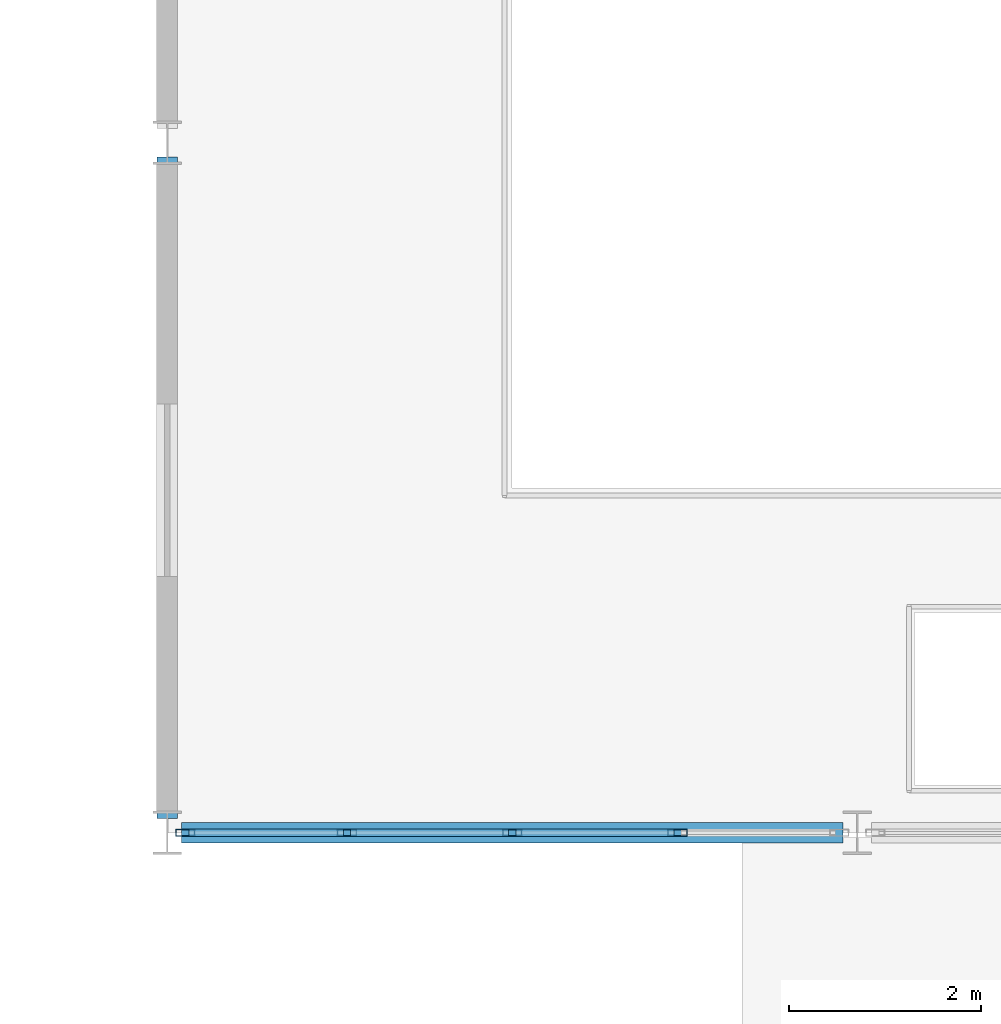
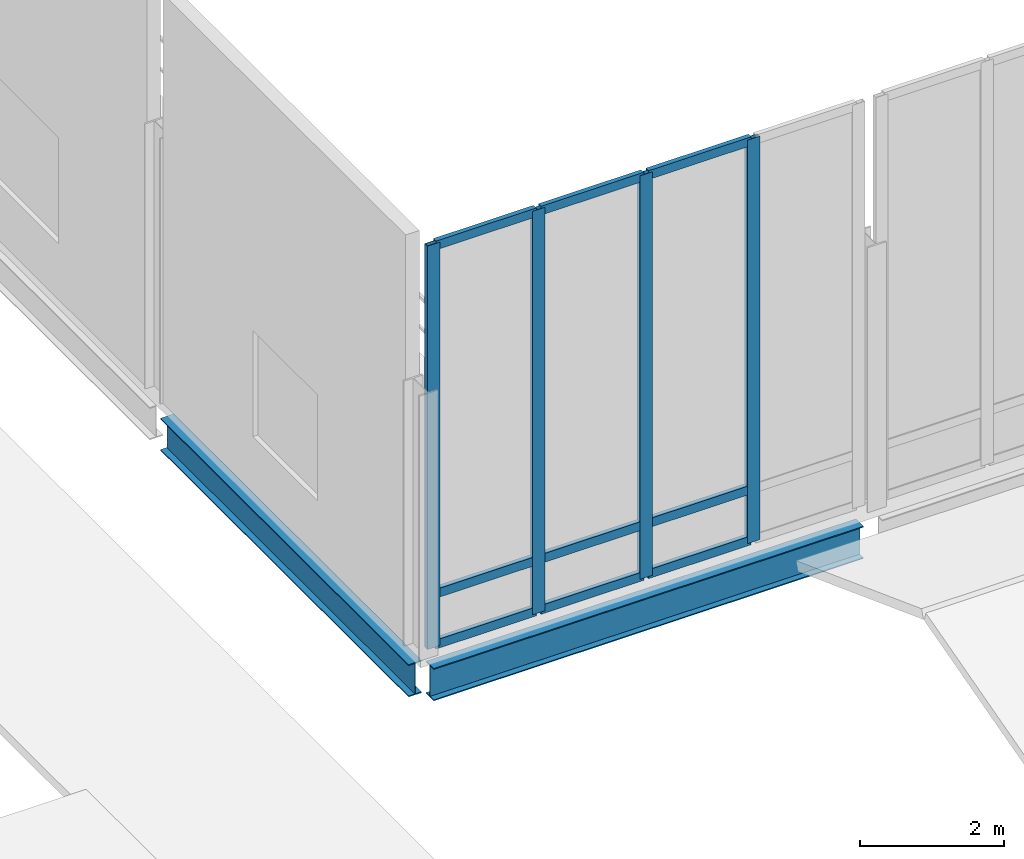
# One storey, part 20 of 110: 13 members, 2 beams, 1 element without a shape of its own.
"""IFC4 building model written with IfcOpenShell, lengths in metres."""

import ifcopenshell
import ifcopenshell.guid

model = None  # the IFC model being written
_history = None  # IfcOwnerHistory: only IFC2X3 demands one
_inside = {}  # id of a spatial element -> (the spatial element, [elements in it])
_under = {}  # id of a project, library or spatial element -> (it, [spatial elements below it])
_declared = {}  # id of a project -> (the project, [libraries it declares])
_typed = {}  # id of a type object -> (the type object, [elements of that type])
_made_of = {}  # id of a material, layer set ... -> (it, [elements and type objects made of it])


def new_model(schema):
    """Start an empty IFC model of exactly this schema.

    Asked for "IFC4X3", IfcOpenShell would pick the latest addendum, in which some entities
    have other attributes; the version numbers below select the first issue.
    IFC2X3 requires an IfcOwnerHistory on every rooted entity: one is made here for all.
    """
    global model, _history
    if schema == "IFC4X3":
        model = ifcopenshell.file(schema_version=(4, 3, 0, 0))
    else:
        model = ifcopenshell.file(schema=schema)
    _inside.clear()
    _under.clear()
    _declared.clear()
    _typed.clear()
    _made_of.clear()
    _history = None
    if model.schema == "IFC2X3":
        org = make("IfcOrganization", Name="unknown")
        user = make(
            "IfcPersonAndOrganization",
            ThePerson=make("IfcPerson", FamilyName="unknown"),
            TheOrganization=org,
        )
        app = make(
            "IfcApplication",
            ApplicationDeveloper=org,
            Version="unknown",
            ApplicationFullName="unknown",
            ApplicationIdentifier="unknown",
        )
        _history = make(
            "IfcOwnerHistory",
            OwningUser=user,
            OwningApplication=app,
            ChangeAction="ADDED",
            CreationDate=0,
        )
    return model


def make(cls, **values):
    """One entity of the class cls with the attributes given. An attribute that is None is left unset."""
    return model.create_entity(
        cls, **{name: value for name, value in values.items() if value is not None}
    )


def rooted(cls, **values):
    """An entity with a GlobalId (a new one), such as an element, a storey or a relation."""
    return make(cls, GlobalId=ifcopenshell.guid.new(), OwnerHistory=_history, **values)


def si_unit(unit_type, name, prefix=None):
    """IfcSIUnit, for example si_unit("LENGTHUNIT", "METRE", prefix="MILLI")."""
    return make("IfcSIUnit", UnitType=unit_type, Prefix=prefix, Name=name)


def assignment(units):
    """IfcUnitAssignment: the units of a project."""
    return None if units is None else make("IfcUnitAssignment", Units=units)


def point(xyz):
    """IfcCartesianPoint."""
    return None if xyz is None else make("IfcCartesianPoint", Coordinates=xyz)


def direction(xyz):
    """IfcDirection."""
    return None if xyz is None else make("IfcDirection", DirectionRatios=xyz)


def frame(location, z_axis=None, x_axis=None):
    """IfcAxis2Placement3D, a coordinate frame: its origin and axes. An axis left out is left unset."""
    return make(
        "IfcAxis2Placement3D",
        Location=point(location),
        Axis=direction(z_axis),
        RefDirection=direction(x_axis),
    )


def frame_2d(location, x_axis=None):
    """IfcAxis2Placement2D, a coordinate frame in the plane: its origin and x axis."""
    return make(
        "IfcAxis2Placement2D", Location=point(location), RefDirection=direction(x_axis)
    )


def origin():
    """The frame at (0, 0, 0) with its axes left unset."""
    return frame((0.0, 0.0, 0.0))


def origin_2d():
    """The frame at (0, 0) in the plane with its x axis left unset."""
    return frame_2d((0.0, 0.0))


def place(relative_to, where):
    """IfcLocalPlacement: puts the frame where relative to a parent placement (None: the world)."""
    return make(
        "IfcLocalPlacement", PlacementRelTo=relative_to, RelativePlacement=where
    )


def context(
    kind, dimensions, precision=None, world=None, true_north=None, identifier=None
):
    """IfcGeometricRepresentationContext, for example the 3D "Model" context."""
    return make(
        "IfcGeometricRepresentationContext",
        ContextIdentifier=identifier,
        ContextType=kind,
        CoordinateSpaceDimension=dimensions,
        Precision=precision,
        WorldCoordinateSystem=world,
        TrueNorth=true_north,
    )


def subcontext(parent, identifier, kind, view, scale=None):
    """IfcGeometricRepresentationSubContext, for example "Body" below "Model"."""
    return make(
        "IfcGeometricRepresentationSubContext",
        ContextIdentifier=identifier,
        ContextType=kind,
        ParentContext=parent,
        TargetScale=scale,
        TargetView=view,
    )


def project(units=None, contexts=None):
    """IfcProject with its units and contexts."""
    return rooted(
        "IfcProject",
        Name="project",
        RepresentationContexts=contexts,
        UnitsInContext=assignment(units),
    )


def spatial(cls, under=None, at=None, **own):
    """A site, building, storey or space (cls), placed at a placement, below another one or the project."""
    s = rooted(cls, ObjectPlacement=at, **own)
    if under is not None:
        _under.setdefault(under.id(), (under, []))[1].append(s)
    return s


def profile(cls, at=None, kind="AREA", **sizes):
    """A parametric profile (cls). Its sizes go by their IFC names, for example OverallWidth=200.0."""
    return make(cls, ProfileType=kind, Position=at, **sizes)


def hollow_rectangle(**sizes):
    """IfcRectangleHollowProfileDef."""
    return profile("IfcRectangleHollowProfileDef", **sizes)


def i_section(**sizes):
    """IfcIShapeProfileDef."""
    return profile("IfcIShapeProfileDef", **sizes)


def extrude(swept, where, along, depth):
    """IfcExtrudedAreaSolid: the profile swept, set in the frame where, extruded along a direction by depth."""
    return make(
        "IfcExtrudedAreaSolid",
        SweptArea=swept,
        Position=where,
        ExtrudedDirection=direction(along),
        Depth=depth,
    )


def shape(context_of_items, identifier, shape_type, items):
    """IfcShapeRepresentation: the items that make up one representation, for example the "Body"."""
    return make(
        "IfcShapeRepresentation",
        ContextOfItems=context_of_items,
        RepresentationIdentifier=identifier,
        RepresentationType=shape_type,
        Items=items,
    )


def material(Name=None, Category=None):
    """IfcMaterial."""
    return make("IfcMaterial", Name=Name, Category=Category)


def material_profile(
    of_material, cross_section, Name=None, Category=None, Priority=None
):
    """IfcMaterialProfile: a cross section and its material."""
    return make(
        "IfcMaterialProfile",
        Name=Name,
        Material=of_material,
        Profile=cross_section,
        Priority=Priority,
        Category=Category,
    )


def profile_set(profiles, Name=None, composite=None):
    """IfcMaterialProfileSet."""
    return make(
        "IfcMaterialProfileSet",
        Name=Name,
        MaterialProfiles=profiles,
        CompositeProfile=composite,
    )


def made_of(thing, what):
    """Note that an element or type object is made of a material, layer set ...; save() writes the relation."""
    if what is not None:
        _made_of.setdefault(what.id(), (what, []))[1].append(thing)
    return thing


def type_object(cls, material=None, **own):
    """A type object (cls), such as IfcWallType, which elements share."""
    return made_of(rooted(cls, **own), material)


def element(
    cls,
    number,
    at=None,
    inside=None,
    cuts=None,
    type_object=None,
    material=None,
    context=None,
    identifier="Body",
    shape_type=None,
    held_by="IfcProductDefinitionShape",
    body=None,
    shapes=None,
    **own,
):
    """One element of the class cls, such as IfcWall. Its Tag is "e" and its number.

    at: its placement. inside: the storey or other place that contains it. cuts: it is an
    opening in that element (IfcRelVoidsElement). A single representation is given by context,
    identifier, shape_type and body (its items); several are given by shapes. held_by: the class
    of the entity that holds the representations. save() writes the other relations.
    """
    e = rooted(cls, Tag="e%d" % number, ObjectPlacement=at, **own)
    if body is not None:
        shapes = [shape(context, identifier, shape_type, body)]
    if shapes is not None:
        e.Representation = make(held_by, Representations=shapes)
    if inside is not None:
        _inside.setdefault(inside.id(), (inside, []))[1].append(e)
    if cuts is not None:
        rooted(
            "IfcRelVoidsElement", RelatingBuildingElement=cuts, RelatedOpeningElement=e
        )
    if type_object is not None:
        _typed.setdefault(type_object.id(), (type_object, []))[1].append(e)
    return made_of(e, material)


def aggregate(whole, parts):
    """IfcRelAggregates: a whole, such as a stair, and the parts it consists of."""
    return rooted("IfcRelAggregates", RelatingObject=whole, RelatedObjects=parts)


def save(model, path):
    """Write the relations noted so far, then the file.

    IfcRelAggregates (storeys below a building ...), IfcRelContainedInSpatialStructure (elements
    in a storey), IfcRelDefinesByType, IfcRelAssociatesMaterial and IfcRelDeclares: one each for
    every whole, place, type object, material and project.
    """
    for whole, parts in _under.values():
        aggregate(whole, parts)
    for where, things in _inside.values():
        rooted(
            "IfcRelContainedInSpatialStructure",
            RelatedElements=things,
            RelatingStructure=where,
        )
    for kind, things in _typed.values():
        rooted("IfcRelDefinesByType", RelatedObjects=things, RelatingType=kind)
    for what, things in _made_of.values():
        rooted("IfcRelAssociatesMaterial", RelatedObjects=things, RelatingMaterial=what)
    for by, libraries in _declared.values():
        rooted("IfcRelDeclares", RelatingContext=by, RelatedDefinitions=libraries)
    model.write(path)


model = new_model("IFC4")

# Units and contexts
model_context = context("Model", 3, precision=1e-05, world=origin(), true_north=direction((0.0, 1.0)))
body_context = subcontext(model_context, "Body", "Model", "MODEL_VIEW")
ifc_project = project(units=[si_unit("LENGTHUNIT", "METRE"), si_unit("AREAUNIT", "SQUARE_METRE"), si_unit("VOLUMEUNIT", "CUBIC_METRE"), si_unit("PLANEANGLEUNIT", "RADIAN"), si_unit("MASSUNIT", "GRAM", prefix="KILO")], contexts=[model_context])

# Site, building, storey
site_placement = place(None, origin())
site = spatial("IfcSite", under=ifc_project, at=site_placement, CompositionType="ELEMENT")
building_placement = place(site_placement, origin())
building = spatial("IfcBuilding", under=site, at=building_placement, Name="Suanplinth Sawtooth Commons", CompositionType="ELEMENT")
storey_placement = place(building_placement, frame((0.0, 0.0, 4.5)))
storey = spatial("IfcBuildingStorey", under=building, at=storey_placement, Name="L01", CompositionType="ELEMENT", Elevation=4.5)

# Beams
ifc_material_1 = material(Name="Steel S355JR", Category="steel")
ifc_material_profile_1 = material_profile(ifc_material_1, i_section(OverallWidth=0.2099609375, OverallDepth=0.550048828125, WebThickness=0.010986328125, FlangeThickness=0.01708984375, at=origin_2d()), Name="IPE 550")
ifc_profile_set_1 = profile_set([ifc_material_profile_1], Name="Steel S355JR")
beam_type = type_object("IfcBeamType", Name="B-10", PredefinedType="USERDEFINED", material=ifc_profile_set_1)
beam_1_placement = place(storey_placement, frame((64.949951171875, 50.39990234375, -0.574951171875), z_axis=(1.0, 0.0, 0.0), x_axis=(0.0, 1.0, 0.0)))
element("IfcBeam", 1, at=beam_1_placement, inside=storey, type_object=beam_type, Name="BMX-L01-HALL-9-7", ObjectType="GIRDER", PredefinedType="USERDEFINED", context=body_context, shape_type="SweptSolid", body=[
    extrude(i_section(OverallWidth=0.2099609375, OverallDepth=0.550048828125, WebThickness=0.010986328125, FlangeThickness=0.01708984375, at=origin_2d()), origin(), (0.0, 0.0, 1.0), 6.900146484375),
])
beam_2_placement = place(storey_placement, frame((64.800048828125, 50.550048828125, -0.574951171875), z_axis=(0.0, 1.0, 0.0), x_axis=(-1.0, 0.0, 0.0)))
element("IfcBeam", 2, at=beam_2_placement, inside=storey, type_object=beam_type, Name="BMY-L01-HALL-9-7", ObjectType="GIRDER", PredefinedType="USERDEFINED", context=body_context, shape_type="SweptSolid", body=[
    extrude(i_section(OverallWidth=0.2099609375, OverallDepth=0.550048828125, WebThickness=0.010986328125, FlangeThickness=0.01708984375, at=origin_2d()), origin(), (0.0, 0.0, 1.0), 6.89990234375),
])

# Curtain wall, members
ifc_material_2 = material(Name="Anodized aluminium and low-E glazing", Category="aluminium")
curtain_wall_type = type_object("IfcCurtainWallType", Name="CW-01", PredefinedType="USERDEFINED", material=ifc_material_2)
curtain_wall_placement = place(storey_placement, origin())
curtain_wall = element("IfcCurtainWall", 3, at=curtain_wall_placement, inside=storey, type_object=curtain_wall_type, Name="Curtain Wall CW-L01-HALL-S-0", ObjectType="CURTAIN WALL", PredefinedType="USERDEFINED")
ifc_material_3 = material(Name="Anodized aluminium 6063-T6", Category="aluminium")
ifc_material_profile_2 = material_profile(ifc_material_3, hollow_rectangle(XDim=0.074951171875, YDim=0.199951171875, WallThickness=0.0048828125, at=origin_2d()), Name="ALU-MUL 75x200")
ifc_profile_set_2 = profile_set([ifc_material_profile_2], Name="Anodized aluminium 6063-T6")
member_type_1 = type_object("IfcMemberType", Name="M-14", PredefinedType="MULLION", material=ifc_profile_set_2)
member_1_placement = place(storey_placement, frame((64.987548828125, 50.39990234375, 0.0), z_axis=(0.0, 0.0, 1.0), x_axis=(0.0, 1.0, 0.0)))
member_1 = element("IfcMember", 4, at=member_1_placement, type_object=member_type_1, Name="CW-01 mullion 1", PredefinedType="MULLION", context=body_context, shape_type="SweptSolid", body=[
    extrude(hollow_rectangle(XDim=0.074951171875, YDim=0.199951171875, WallThickness=0.0048828125, at=origin_2d()), origin(), (0.0, 0.0, 1.0), 6.85009765625),
])
member_2_placement = place(storey_placement, frame((66.675048828125, 50.39990234375, 0.0), z_axis=(0.0, 0.0, 1.0), x_axis=(0.0, 1.0, 0.0)))
member_2 = element("IfcMember", 5, at=member_2_placement, type_object=member_type_1, Name="CW-01 mullion 2", PredefinedType="MULLION", context=body_context, shape_type="SweptSolid", body=[
    extrude(hollow_rectangle(XDim=0.074951171875, YDim=0.199951171875, WallThickness=0.0048828125, at=origin_2d()), origin(), (0.0, 0.0, 1.0), 6.85009765625),
])
member_3_placement = place(storey_placement, frame((68.39990234375, 50.39990234375, 0.0), z_axis=(0.0, 0.0, 1.0), x_axis=(0.0, 1.0, 0.0)))
member_3 = element("IfcMember", 6, at=member_3_placement, type_object=member_type_1, Name="CW-01 mullion 3", PredefinedType="MULLION", context=body_context, shape_type="SweptSolid", body=[
    extrude(hollow_rectangle(XDim=0.074951171875, YDim=0.199951171875, WallThickness=0.0048828125, at=origin_2d()), origin(), (0.0, 0.0, 1.0), 6.85009765625),
])
member_4_placement = place(storey_placement, frame((70.125, 50.39990234375, 0.0), z_axis=(0.0, 0.0, 1.0), x_axis=(0.0, 1.0, 0.0)))
member_4 = element("IfcMember", 7, at=member_4_placement, type_object=member_type_1, Name="CW-01 mullion 4", PredefinedType="MULLION", context=body_context, shape_type="SweptSolid", body=[
    extrude(hollow_rectangle(XDim=0.074951171875, YDim=0.199951171875, WallThickness=0.0048828125, at=origin_2d()), origin(), (0.0, 0.0, 1.0), 6.85009765625),
])
ifc_material_profile_3 = material_profile(ifc_material_3, hollow_rectangle(XDim=0.074951171875, YDim=0.14990234375, WallThickness=0.00439453125, at=origin_2d()), Name="ALU-TRN 75x150")
ifc_profile_set_3 = profile_set([ifc_material_profile_3], Name="Anodized aluminium 6063-T6")
member_type_2 = type_object("IfcMemberType", Name="M-16", PredefinedType="USERDEFINED", material=ifc_profile_set_3)
member_5_placement = place(storey_placement, frame((65.02490234375, 50.39990234375, 0.03759765625), z_axis=(1.0, 0.0, 0.0), x_axis=(0.0, 1.0, 0.0)))
member_5 = element("IfcMember", 8, at=member_5_placement, type_object=member_type_2, Name="CW-01 transom 1.1", ObjectType="TRANSOM", PredefinedType="USERDEFINED", context=body_context, shape_type="SweptSolid", body=[
    extrude(hollow_rectangle(XDim=0.074951171875, YDim=0.14990234375, WallThickness=0.00439453125, at=origin_2d()), origin(), (0.0, 0.0, 1.0), 1.612548828125),
])
member_6_placement = place(storey_placement, frame((65.02490234375, 50.39990234375, 0.89990234375), z_axis=(1.0, 0.0, 0.0), x_axis=(0.0, 1.0, 0.0)))
member_6 = element("IfcMember", 9, at=member_6_placement, type_object=member_type_2, Name="CW-01 transom 1.2", ObjectType="TRANSOM", PredefinedType="USERDEFINED", context=body_context, shape_type="SweptSolid", body=[
    extrude(hollow_rectangle(XDim=0.074951171875, YDim=0.14990234375, WallThickness=0.00439453125, at=origin_2d()), origin(), (0.0, 0.0, 1.0), 1.612548828125),
])
member_7_placement = place(storey_placement, frame((65.02490234375, 50.39990234375, 6.8125), z_axis=(1.0, 0.0, 0.0), x_axis=(0.0, 1.0, 0.0)))
member_7 = element("IfcMember", 10, at=member_7_placement, type_object=member_type_2, Name="CW-01 transom 1.3", ObjectType="TRANSOM", PredefinedType="USERDEFINED", context=body_context, shape_type="SweptSolid", body=[
    extrude(hollow_rectangle(XDim=0.074951171875, YDim=0.14990234375, WallThickness=0.00439453125, at=origin_2d()), origin(), (0.0, 0.0, 1.0), 1.612548828125),
])
member_8_placement = place(storey_placement, frame((66.71240234375, 50.39990234375, 0.03759765625), z_axis=(1.0, 0.0, 0.0), x_axis=(0.0, 1.0, 0.0)))
member_8 = element("IfcMember", 11, at=member_8_placement, type_object=member_type_2, Name="CW-01 transom 2.1", ObjectType="TRANSOM", PredefinedType="USERDEFINED", context=body_context, shape_type="SweptSolid", body=[
    extrude(hollow_rectangle(XDim=0.074951171875, YDim=0.14990234375, WallThickness=0.00439453125, at=origin_2d()), origin(), (0.0, 0.0, 1.0), 1.650146484375),
])
member_9_placement = place(storey_placement, frame((66.71240234375, 50.39990234375, 0.89990234375), z_axis=(1.0, 0.0, 0.0), x_axis=(0.0, 1.0, 0.0)))
member_9 = element("IfcMember", 12, at=member_9_placement, type_object=member_type_2, Name="CW-01 transom 2.2", ObjectType="TRANSOM", PredefinedType="USERDEFINED", context=body_context, shape_type="SweptSolid", body=[
    extrude(hollow_rectangle(XDim=0.074951171875, YDim=0.14990234375, WallThickness=0.00439453125, at=origin_2d()), origin(), (0.0, 0.0, 1.0), 1.650146484375),
])
member_10_placement = place(storey_placement, frame((66.71240234375, 50.39990234375, 6.8125), z_axis=(1.0, 0.0, 0.0), x_axis=(0.0, 1.0, 0.0)))
member_10 = element("IfcMember", 13, at=member_10_placement, type_object=member_type_2, Name="CW-01 transom 2.3", ObjectType="TRANSOM", PredefinedType="USERDEFINED", context=body_context, shape_type="SweptSolid", body=[
    extrude(hollow_rectangle(XDim=0.074951171875, YDim=0.14990234375, WallThickness=0.00439453125, at=origin_2d()), origin(), (0.0, 0.0, 1.0), 1.650146484375),
])
member_11_placement = place(storey_placement, frame((68.4375, 50.39990234375, 0.03759765625), z_axis=(1.0, 0.0, 0.0), x_axis=(0.0, 1.0, 0.0)))
member_11 = element("IfcMember", 14, at=member_11_placement, type_object=member_type_2, Name="CW-01 transom 3.1", ObjectType="TRANSOM", PredefinedType="USERDEFINED", context=body_context, shape_type="SweptSolid", body=[
    extrude(hollow_rectangle(XDim=0.074951171875, YDim=0.14990234375, WallThickness=0.00439453125, at=origin_2d()), origin(), (0.0, 0.0, 1.0), 1.64990234375),
])
member_12_placement = place(storey_placement, frame((68.4375, 50.39990234375, 0.89990234375), z_axis=(1.0, 0.0, 0.0), x_axis=(0.0, 1.0, 0.0)))
member_12 = element("IfcMember", 15, at=member_12_placement, type_object=member_type_2, Name="CW-01 transom 3.2", ObjectType="TRANSOM", PredefinedType="USERDEFINED", context=body_context, shape_type="SweptSolid", body=[
    extrude(hollow_rectangle(XDim=0.074951171875, YDim=0.14990234375, WallThickness=0.00439453125, at=origin_2d()), origin(), (0.0, 0.0, 1.0), 1.64990234375),
])
member_13_placement = place(storey_placement, frame((68.4375, 50.39990234375, 6.8125), z_axis=(1.0, 0.0, 0.0), x_axis=(0.0, 1.0, 0.0)))
member_13 = element("IfcMember", 16, at=member_13_placement, type_object=member_type_2, Name="CW-01 transom 3.3", ObjectType="TRANSOM", PredefinedType="USERDEFINED", context=body_context, shape_type="SweptSolid", body=[
    extrude(hollow_rectangle(XDim=0.074951171875, YDim=0.14990234375, WallThickness=0.00439453125, at=origin_2d()), origin(), (0.0, 0.0, 1.0), 1.64990234375),
])
aggregate(curtain_wall, [member_1, member_2, member_3, member_4, member_5, member_6, member_7, member_8, member_9, member_10, member_11, member_12, member_13])

save(model, "model.ifc")
